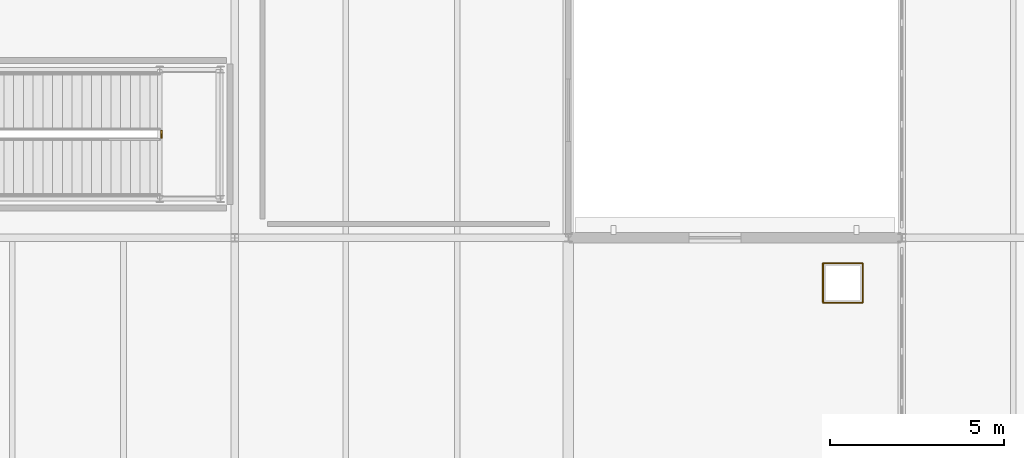
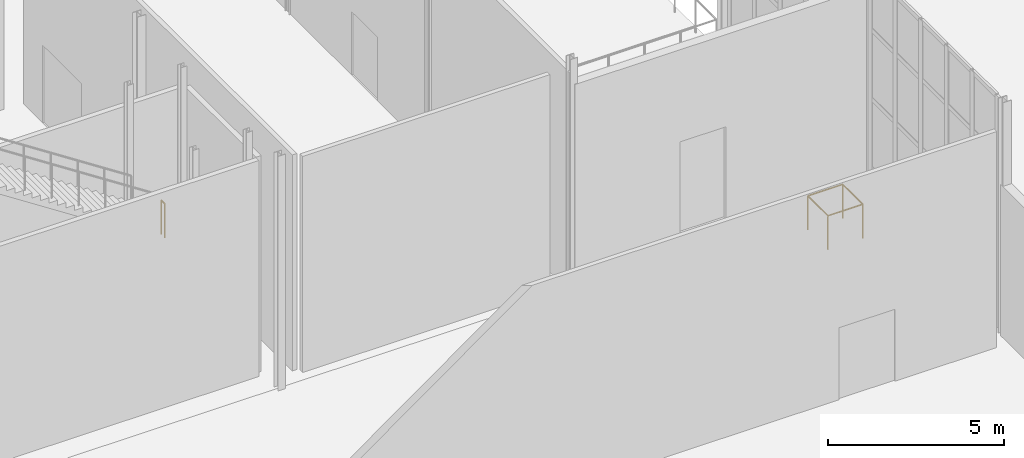
# One storey, part 72 of 73: 3 railings.
"""IFC4 building model written with IfcOpenShell, lengths in metres."""

from ifc_helpers import new_model, si_unit, direction, frame, origin, origin_2d, place, context, subcontext, project, spatial, circle, extrude, material, type_object, element, save


model = new_model("IFC4")

# Units and contexts
model_context = context("Model", 3, precision=1e-05, world=origin(), true_north=direction((0.0, 1.0)))
body_context = subcontext(model_context, "Body", "Model", "MODEL_VIEW")
ifc_project = project(units=[si_unit("LENGTHUNIT", "METRE"), si_unit("AREAUNIT", "SQUARE_METRE"), si_unit("VOLUMEUNIT", "CUBIC_METRE"), si_unit("PLANEANGLEUNIT", "RADIAN"), si_unit("MASSUNIT", "GRAM", prefix="KILO")], contexts=[model_context])

# Site, building, storey
site_placement = place(None, origin())
site = spatial("IfcSite", under=ifc_project, at=site_placement, CompositionType="ELEMENT")
building_placement = place(site_placement, origin())
building = spatial("IfcBuilding", under=site, at=building_placement, Name="Alderhovde Museum", CompositionType="ELEMENT")
storey_placement = place(building_placement, frame((0.0, 0.0, 17.39990234375)))
storey = spatial("IfcBuildingStorey", under=building, at=storey_placement, Name="L04", CompositionType="ELEMENT", Elevation=17.39990234375)

# Railings
ifc_material = material(Name="Painted Steel S355 Guardrail", Category="steel")
railing_type = type_object("IfcRailingType", Name="RL-GUARD-1200", PredefinedType="GUARDRAIL", material=ifc_material)
railing_1_placement = place(storey_placement, frame((55.330078125, 78.1298828125, 0.0)))
element("IfcRailing", 1, at=railing_1_placement, inside=storey, type_object=railing_type, Name="L04 VOL1 Shaft Opening Guardrail A", PredefinedType="GUARDRAIL", context=body_context, shape_type="SweptSolid", body=[
    extrude(circle(Radius=0.02392578125, at=origin_2d()), frame((0.0, 0.0, 1.17578125), z_axis=(1.0, 0.0, 0.0), x_axis=(0.0, 1.0, 0.0)), (0.0, 0.0, 1.0), 1.139892578125),
    extrude(circle(Radius=0.02392578125, at=origin_2d()), frame((1.139892578125, 0.0, 1.17578125), z_axis=(0.0, 1.0, 0.0), x_axis=(-1.0, 0.0, 0.0)), (0.0, 0.0, 1.0), 1.14013671875),
    extrude(circle(Radius=0.02099609375, at=origin_2d()), origin(), (0.0, 0.0, 1.0), 1.15185546875),
    extrude(circle(Radius=0.02099609375, at=origin_2d()), frame((1.139892578125, 0.0, 0.0)), (0.0, 0.0, 1.0), 1.15185546875),
    extrude(circle(Radius=0.02099609375, at=origin_2d()), frame((1.139892578125, 1.14013671875, 0.0)), (0.0, 0.0, 1.0), 1.15185546875),
])
railing_2_placement = place(storey_placement, frame((56.469970703125, 79.27001953125, 0.0)))
element("IfcRailing", 2, at=railing_2_placement, inside=storey, type_object=railing_type, Name="L04 VOL1 Shaft Opening Guardrail B", PredefinedType="GUARDRAIL", context=body_context, shape_type="SweptSolid", body=[
    extrude(circle(Radius=0.02392578125, at=origin_2d()), frame((0.0, 0.0, 1.17578125), z_axis=(-1.0, 0.0, 0.0), x_axis=(0.0, -1.0, 0.0)), (0.0, 0.0, 1.0), 1.139892578125),
    extrude(circle(Radius=0.02392578125, at=origin_2d()), frame((-1.139892578125, 0.0, 1.17578125), z_axis=(0.0, -1.0, 0.0), x_axis=(1.0, 0.0, 0.0)), (0.0, 0.0, 1.0), 1.14013671875),
    extrude(circle(Radius=0.02099609375, at=origin_2d()), origin(), (0.0, 0.0, 1.0), 1.15185546875),
    extrude(circle(Radius=0.02099609375, at=origin_2d()), frame((-1.139892578125, 0.0, 0.0)), (0.0, 0.0, 1.0), 1.15185546875),
    extrude(circle(Radius=0.02099609375, at=origin_2d()), frame((-1.139892578125, -1.14013671875, 0.0)), (0.0, 0.0, 1.0), 1.15185546875),
])
railing_3_placement = place(storey_placement, frame((36.2900390625, 82.8798828125, 4.2001953125)))
element("IfcRailing", 3, at=railing_3_placement, inside=storey, type_object=railing_type, Name="L04 ST2 stair guard 2", PredefinedType="GUARDRAIL", context=body_context, shape_type="SweptSolid", body=[
    extrude(circle(Radius=0.02392578125, at=origin_2d()), frame((0.0, 0.0, 1.17578125), z_axis=(0.0, 1.0, 0.0), x_axis=(-1.0, 0.0, 0.0)), (0.0, 0.0, 1.0), 0.2001953125),
    extrude(circle(Radius=0.02099609375, at=origin_2d()), origin(), (0.0, 0.0, 1.0), 1.15185546875),
    extrude(circle(Radius=0.02099609375, at=origin_2d()), frame((0.0, 0.2001953125, 0.0)), (0.0, 0.0, 1.0), 1.15185546875),
])

save(model, "model.ifc")
